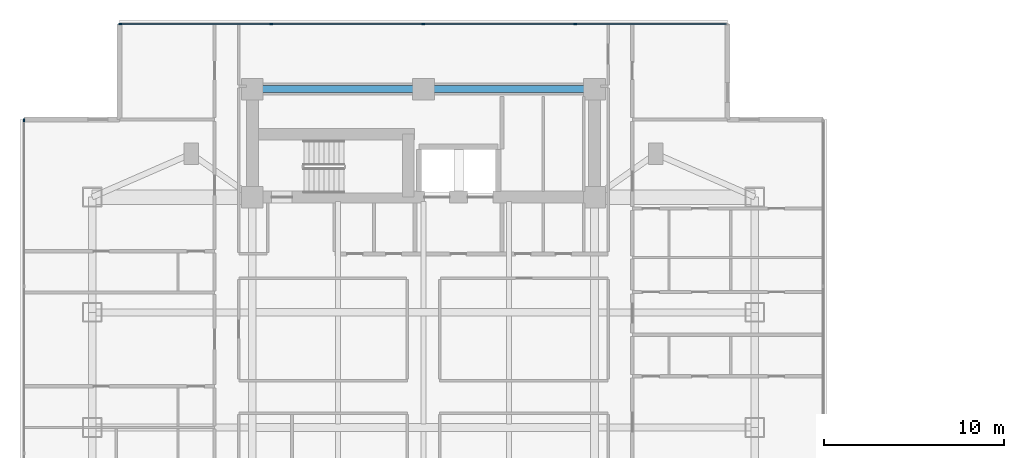
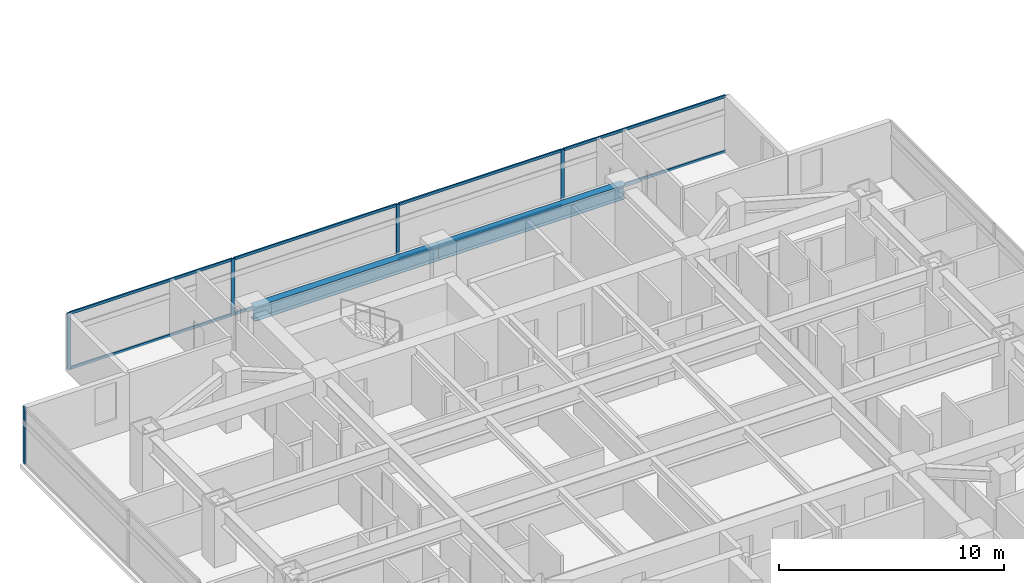
# One storey, part 7 of 25: 13 members, 2 beams, 2 elements without a shape of their own.
"""IFC4 building model written with IfcOpenShell, lengths in metres."""

from ifc_helpers import new_model, si_unit, direction, frame, origin, origin_2d, place, context, subcontext, project, spatial, rectangle, i_section, extrude, material, material_profile, profile_set, type_object, element, aggregate, save


model = new_model("IFC4")

# Units and contexts
model_context = context("Model", 3, precision=1e-05, world=origin(), true_north=direction((0.0, 1.0)))
body_context = subcontext(model_context, "Body", "Model", "MODEL_VIEW")
ifc_project = project(units=[si_unit("LENGTHUNIT", "METRE"), si_unit("AREAUNIT", "SQUARE_METRE"), si_unit("VOLUMEUNIT", "CUBIC_METRE"), si_unit("PLANEANGLEUNIT", "RADIAN"), si_unit("MASSUNIT", "GRAM", prefix="KILO")], contexts=[model_context])

# Site, building, storey
site_placement = place(None, origin())
site = spatial("IfcSite", under=ifc_project, at=site_placement, CompositionType="ELEMENT")
building_placement = place(site_placement, origin())
building = spatial("IfcBuilding", under=site, at=building_placement, Name="Mirazonda Arch Towers", CompositionType="ELEMENT")
storey_placement = place(building_placement, frame((0.0, 0.0, 111.5)))
storey = spatial("IfcBuildingStorey", under=building, at=storey_placement, Name="L31", CompositionType="ELEMENT", Elevation=111.5)

# Beams
ifc_material_1 = material(Name="Steel ASTM A992 Grade 50", Category="steel")
ifc_material_profile_1 = material_profile(ifc_material_1, i_section(OverallWidth=0.381103515625, OverallDepth=0.77294921875, WebThickness=0.0166015625, FlangeThickness=0.027099609375, at=origin_2d()), Name="W30X173")
ifc_profile_set_1 = profile_set([ifc_material_profile_1], Name="Steel ASTM A992 Grade 50")
beam_type = type_object("IfcBeamType", Name="BM-INT-W30X173", PredefinedType="USERDEFINED", material=ifc_profile_set_1)
for number, where, z_axis, x_axis, name in (
    (1, (11.0, 43.60009765625, 2.693603515625), (1.0, 0.0, 0.0), (0.0, 1.0, 0.0), "L31 Floor Beam BM-T1-L31-CN1"),
    (2, (20.5, 43.60009765625, 2.693603515625), (1.0, 0.0, 0.0), (0.0, 1.0, 0.0), "L31 Floor Beam BM-T1-L31-CN2"),
):
    element("IfcBeam", number, at=place(storey_placement, frame(where, z_axis=z_axis, x_axis=x_axis)), inside=storey, type_object=beam_type, Name=name, ObjectType="GIRDER", PredefinedType="USERDEFINED", context=body_context, shape_type="SweptSolid", body=[
        extrude(i_section(OverallWidth=0.381103515625, OverallDepth=0.77294921875, WebThickness=0.0166015625, FlangeThickness=0.027099609375, at=origin_2d()), origin(), (0.0, 0.0, 1.0), 9.5),
    ])

# Curtain wall, members
ifc_material_2 = material(Name="Anodised Aluminium and Low-E Glass", Category="aluminium")
curtain_wall_type = type_object("IfcCurtainWallType", Name="CW-HTL-UNIT", PredefinedType="NOTDEFINED", material=ifc_material_2)
curtain_wall_1_placement = place(storey_placement, origin())
curtain_wall_1 = element("IfcCurtainWall", 3, at=curtain_wall_1_placement, inside=storey, type_object=curtain_wall_type, Name="L31 T1 N Facade CW-L31-T1-N", PredefinedType="NOTDEFINED")
ifc_material_3 = material(Name="Anodised Aluminium Alloy", Category="aluminium")
ifc_material_profile_2 = material_profile(ifc_material_3, rectangle(XDim=0.074951171875, YDim=0.1650390625, at=origin_2d()), Name="ALU-MULL-75x165")
ifc_profile_set_2 = profile_set([ifc_material_profile_2], Name="Anodised Aluminium Alloy")
member_type_1 = type_object("IfcMemberType", Name="MULL-CW-HTL-UNIT", PredefinedType="MULLION", material=ifc_profile_set_2)
member_1_placement = place(storey_placement, frame((3.652587890625, 47.216064453125, 0.0), z_axis=(0.0, 0.0, 1.0), x_axis=(0.0, 1.0, 0.0)))
member_1 = element("IfcMember", 4, at=member_1_placement, type_object=member_type_1, Name="CW-112 mullion 1", PredefinedType="MULLION", context=body_context, shape_type="SweptSolid", body=[
    extrude(rectangle(XDim=0.074951171875, YDim=0.1650390625, at=origin_2d()), origin(), (0.0, 0.0, 1.0), 3.06005859375),
])
member_2_placement = place(storey_placement, frame((12.0576171875, 47.216064453125, 0.0), z_axis=(0.0, 0.0, 1.0), x_axis=(0.0, 1.0, 0.0)))
member_2 = element("IfcMember", 5, at=member_2_placement, type_object=member_type_1, Name="CW-112 mullion 2", PredefinedType="MULLION", context=body_context, shape_type="SweptSolid", body=[
    extrude(rectangle(XDim=0.074951171875, YDim=0.1650390625, at=origin_2d()), origin(), (0.0, 0.0, 1.0), 3.06005859375),
])
member_3_placement = place(storey_placement, frame((20.5, 47.216064453125, 0.0), z_axis=(0.0, 0.0, 1.0), x_axis=(0.0, 1.0, 0.0)))
member_3 = element("IfcMember", 6, at=member_3_placement, type_object=member_type_1, Name="CW-112 mullion 3", PredefinedType="MULLION", context=body_context, shape_type="SweptSolid", body=[
    extrude(rectangle(XDim=0.074951171875, YDim=0.1650390625, at=origin_2d()), origin(), (0.0, 0.0, 1.0), 3.06005859375),
])
member_4_placement = place(storey_placement, frame((28.9423828125, 47.216064453125, 0.0), z_axis=(0.0, 0.0, 1.0), x_axis=(0.0, 1.0, 0.0)))
member_4 = element("IfcMember", 7, at=member_4_placement, type_object=member_type_1, Name="CW-112 mullion 4", PredefinedType="MULLION", context=body_context, shape_type="SweptSolid", body=[
    extrude(rectangle(XDim=0.074951171875, YDim=0.1650390625, at=origin_2d()), origin(), (0.0, 0.0, 1.0), 3.06005859375),
])

# Curtain wall, member
curtain_wall_2_placement = place(storey_placement, origin())
curtain_wall_2 = element("IfcCurtainWall", 8, at=curtain_wall_2_placement, inside=storey, type_object=curtain_wall_type, Name="L31 T1 W Facade CW-L31-T1-W", PredefinedType="NOTDEFINED")
member_5_placement = place(storey_placement, frame((-1.68994140625, 41.87353515625, 0.0), z_axis=(0.0, 0.0, 1.0), x_axis=(1.0, 0.0, 0.0)))
member_5 = element("IfcMember", 9, at=member_5_placement, type_object=member_type_1, Name="CW-112 mullion 1", PredefinedType="MULLION", context=body_context, shape_type="SweptSolid", body=[
    extrude(rectangle(XDim=0.074951171875, YDim=0.1650390625, at=origin_2d()), origin(), (0.0, 0.0, 1.0), 3.06005859375),
])
aggregate(curtain_wall_2, [member_5])

# Member
ifc_material_profile_3 = material_profile(ifc_material_3, rectangle(XDim=0.074951171875, YDim=0.14501953125, at=origin_2d()), Name="ALU-TRAN-75x145")
ifc_profile_set_3 = profile_set([ifc_material_profile_3], Name="Anodised Aluminium Alloy")
member_type_2 = type_object("IfcMemberType", Name="TRAN-CW-HTL-UNIT", PredefinedType="USERDEFINED", material=ifc_profile_set_3)
member_6_placement = place(storey_placement, frame((3.68994140625, 47.216064453125, 0.03759765625), z_axis=(1.0, 0.0, 0.0), x_axis=(0.0, 1.0, 0.0)))
member_6 = element("IfcMember", 10, at=member_6_placement, type_object=member_type_2, Name="CW-112 transom 1.1", ObjectType="TRANSOM", PredefinedType="USERDEFINED", context=body_context, shape_type="SweptSolid", body=[
    extrude(rectangle(XDim=0.074951171875, YDim=0.14501953125, at=origin_2d()), origin(), (0.0, 0.0, 1.0), 8.330078125),
])

member_7_placement = place(storey_placement, frame((3.68994140625, 47.216064453125, 3.0224609375), z_axis=(1.0, 0.0, 0.0), x_axis=(0.0, 1.0, 0.0)))
member_7 = element("IfcMember", 11, at=member_7_placement, type_object=member_type_2, Name="CW-112 transom 1.2", ObjectType="TRANSOM", PredefinedType="USERDEFINED", context=body_context, shape_type="SweptSolid", body=[
    extrude(rectangle(XDim=0.074951171875, YDim=0.14501953125, at=origin_2d()), origin(), (0.0, 0.0, 1.0), 8.330078125),
])

member_8_placement = place(storey_placement, frame((12.094970703125, 47.216064453125, 0.03759765625), z_axis=(1.0, 0.0, 0.0), x_axis=(0.0, 1.0, 0.0)))
member_8 = element("IfcMember", 12, at=member_8_placement, type_object=member_type_2, Name="CW-112 transom 2.1", ObjectType="TRANSOM", PredefinedType="USERDEFINED", context=body_context, shape_type="SweptSolid", body=[
    extrude(rectangle(XDim=0.074951171875, YDim=0.14501953125, at=origin_2d()), origin(), (0.0, 0.0, 1.0), 8.367431640625),
])

member_9_placement = place(storey_placement, frame((12.094970703125, 47.216064453125, 3.0224609375), z_axis=(1.0, 0.0, 0.0), x_axis=(0.0, 1.0, 0.0)))
member_9 = element("IfcMember", 13, at=member_9_placement, type_object=member_type_2, Name="CW-112 transom 2.2", ObjectType="TRANSOM", PredefinedType="USERDEFINED", context=body_context, shape_type="SweptSolid", body=[
    extrude(rectangle(XDim=0.074951171875, YDim=0.14501953125, at=origin_2d()), origin(), (0.0, 0.0, 1.0), 8.367431640625),
])

member_10_placement = place(storey_placement, frame((20.53759765625, 47.216064453125, 0.03759765625), z_axis=(1.0, 0.0, 0.0), x_axis=(0.0, 1.0, 0.0)))
member_10 = element("IfcMember", 14, at=member_10_placement, type_object=member_type_2, Name="CW-112 transom 3.1", ObjectType="TRANSOM", PredefinedType="USERDEFINED", context=body_context, shape_type="SweptSolid", body=[
    extrude(rectangle(XDim=0.074951171875, YDim=0.14501953125, at=origin_2d()), origin(), (0.0, 0.0, 1.0), 8.367431640625),
])

member_11_placement = place(storey_placement, frame((20.53759765625, 47.216064453125, 3.0224609375), z_axis=(1.0, 0.0, 0.0), x_axis=(0.0, 1.0, 0.0)))
member_11 = element("IfcMember", 15, at=member_11_placement, type_object=member_type_2, Name="CW-112 transom 3.2", ObjectType="TRANSOM", PredefinedType="USERDEFINED", context=body_context, shape_type="SweptSolid", body=[
    extrude(rectangle(XDim=0.074951171875, YDim=0.14501953125, at=origin_2d()), origin(), (0.0, 0.0, 1.0), 8.367431640625),
])

member_12_placement = place(storey_placement, frame((28.97998046875, 47.216064453125, 0.03759765625), z_axis=(1.0, 0.0, 0.0), x_axis=(0.0, 1.0, 0.0)))
member_12 = element("IfcMember", 16, at=member_12_placement, type_object=member_type_2, Name="CW-112 transom 4.1", ObjectType="TRANSOM", PredefinedType="USERDEFINED", context=body_context, shape_type="SweptSolid", body=[
    extrude(rectangle(XDim=0.074951171875, YDim=0.14501953125, at=origin_2d()), origin(), (0.0, 0.0, 1.0), 8.330078125),
])

member_13_placement = place(storey_placement, frame((28.97998046875, 47.216064453125, 3.0224609375), z_axis=(1.0, 0.0, 0.0), x_axis=(0.0, 1.0, 0.0)))
member_13 = element("IfcMember", 17, at=member_13_placement, type_object=member_type_2, Name="CW-112 transom 4.2", ObjectType="TRANSOM", PredefinedType="USERDEFINED", context=body_context, shape_type="SweptSolid", body=[
    extrude(rectangle(XDim=0.074951171875, YDim=0.14501953125, at=origin_2d()), origin(), (0.0, 0.0, 1.0), 8.330078125),
])

aggregate(curtain_wall_1, [member_1, member_2, member_3, member_4, member_6, member_7, member_8, member_9, member_10, member_11, member_12, member_13])

save(model, "model.ifc")
